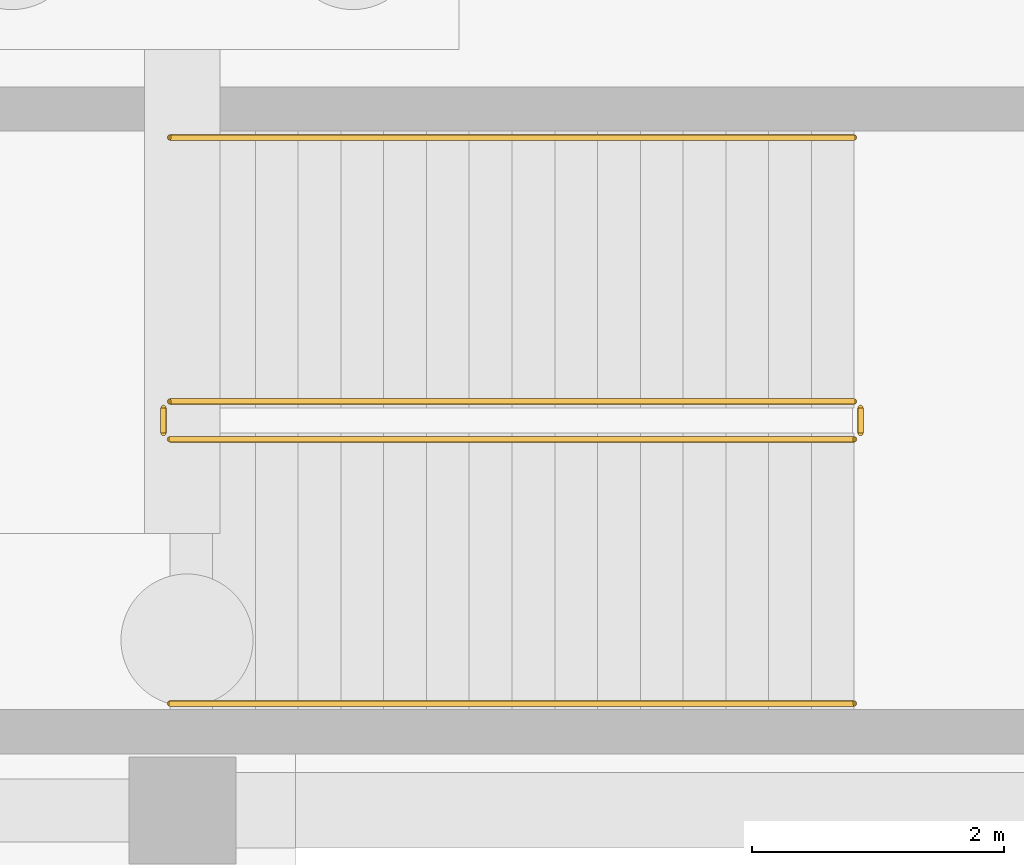
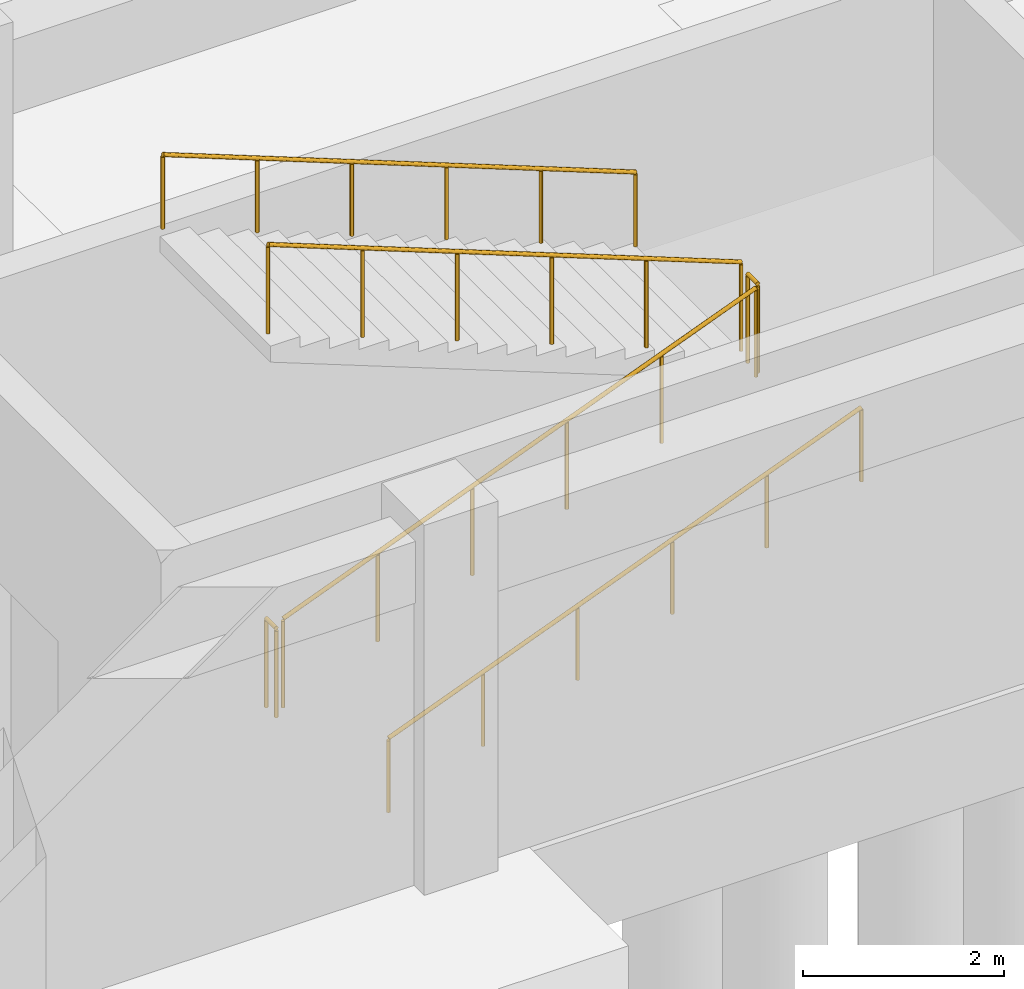
# One storey, part 30 of 33: 6 railings.
"""IFC4 building model written with IfcOpenShell, lengths in metres."""

from ifc_helpers import new_model, si_unit, direction, frame, origin, origin_2d, place, context, subcontext, project, spatial, circle, extrude, material, type_object, element, save


model = new_model("IFC4")

# Units and contexts
model_context = context("Model", 3, precision=1e-05, world=origin(), true_north=direction((0.0, 1.0)))
body_context = subcontext(model_context, "Body", "Model", "MODEL_VIEW")
ifc_project = project(units=[si_unit("LENGTHUNIT", "METRE"), si_unit("AREAUNIT", "SQUARE_METRE"), si_unit("VOLUMEUNIT", "CUBIC_METRE"), si_unit("PLANEANGLEUNIT", "RADIAN"), si_unit("MASSUNIT", "GRAM", prefix="KILO")], contexts=[model_context])

# Site, building, storey
site_placement = place(None, origin())
site = spatial("IfcSite", under=ifc_project, at=site_placement, CompositionType="ELEMENT")
building_placement = place(site_placement, origin())
building = spatial("IfcBuilding", under=site, at=building_placement, Name="Veldera Park Congress Hotel", CompositionType="ELEMENT")
storey_placement = place(building_placement, frame((0.0, 0.0, -4.5)))
storey = spatial("IfcBuildingStorey", under=building, at=storey_placement, Name="B1", CompositionType="ELEMENT", Elevation=-4.5)

# Railings
ifc_material = material(Name="Steel ASTM A992 Gr.50", Category="steel")
railing_type_1 = type_object("IfcRailingType", Name="GRD-ST110", PredefinedType="GUARDRAIL", material=ifc_material)
railing_1_placement = place(storey_placement, frame((30.699951171875, 20.35009765625, 0.13232421875)))
element("IfcRailing", 1, at=railing_1_placement, inside=storey, type_object=railing_type_1, Name="B1 ST7 stair guard 1", PredefinedType="GUARDRAIL", context=body_context, shape_type="SweptSolid", body=[
    extrude(circle(Radius=0.02392578125, at=origin_2d()), frame((0.0, 0.0, 1.076171875), z_axis=(0.93188060822, 0.0, 0.362765119635), x_axis=(0.0, 1.0, 0.0)), (0.0, 0.0, 1.0), 5.837646484375),
    extrude(circle(Radius=0.02099609375, at=origin_2d()), origin(), (0.0, 0.0, 1.0), 1.052001953125),
    extrude(circle(Radius=0.02099609375, at=origin_2d()), frame((1.087890625, 0.0, 0.423583984375)), (0.0, 0.0, 1.0), 1.052001953125),
    extrude(circle(Radius=0.02099609375, at=origin_2d()), frame((2.176025390625, 0.0, 0.84716796875)), (0.0, 0.0, 1.0), 1.052001953125),
    extrude(circle(Radius=0.02099609375, at=origin_2d()), frame((3.263916015625, 0.0, 1.2705078125)), (0.0, 0.0, 1.0), 1.052001953125),
    extrude(circle(Radius=0.02099609375, at=origin_2d()), frame((4.35205078125, 0.0, 1.694091796875)), (0.0, 0.0, 1.0), 1.052001953125),
    extrude(circle(Radius=0.02099609375, at=origin_2d()), frame((5.43994140625, 0.0, 2.11767578125)), (0.0, 0.0, 1.0), 1.052001953125),
])
railing_2_placement = place(storey_placement, frame((36.18994140625, 20.39990234375, 2.25)))
element("IfcRailing", 2, at=railing_2_placement, inside=storey, type_object=railing_type_1, Name="B1 ST7 stair guard 2", PredefinedType="GUARDRAIL", context=body_context, shape_type="SweptSolid", body=[
    extrude(circle(Radius=0.02392578125, at=origin_2d()), frame((0.0, 0.0, 1.076171875), z_axis=(0.0, 1.0, 0.0), x_axis=(-1.0, 0.0, 0.0)), (0.0, 0.0, 1.0), 0.2001953125),
    extrude(circle(Radius=0.02099609375, at=origin_2d()), origin(), (0.0, 0.0, 1.0), 1.052001953125),
    extrude(circle(Radius=0.02099609375, at=origin_2d()), frame((0.0, 0.2001953125, 0.0)), (0.0, 0.0, 1.0), 1.052001953125),
])
railing_3_placement = place(storey_placement, frame((36.139892578125, 20.64990234375, 2.38232421875)))
element("IfcRailing", 3, at=railing_3_placement, inside=storey, type_object=railing_type_1, Name="B1 ST7 stair guard 3", PredefinedType="GUARDRAIL", context=body_context, shape_type="SweptSolid", body=[
    extrude(circle(Radius=0.02392578125, at=origin_2d()), frame((0.0, 0.0, 1.076171875), z_axis=(-0.93188060822, 0.0, 0.362765119635), x_axis=(0.0, -1.0, 0.0)), (0.0, 0.0, 1.0), 5.837646484375),
    extrude(circle(Radius=0.02099609375, at=origin_2d()), origin(), (0.0, 0.0, 1.0), 1.052001953125),
    extrude(circle(Radius=0.02099609375, at=origin_2d()), frame((-1.087890625, 0.0, 0.423583984375)), (0.0, 0.0, 1.0), 1.052001953125),
    extrude(circle(Radius=0.02099609375, at=origin_2d()), frame((-2.176025390625, 0.0, 0.84716796875)), (0.0, 0.0, 1.0), 1.052001953125),
    extrude(circle(Radius=0.02099609375, at=origin_2d()), frame((-3.263916015625, 0.0, 1.2705078125)), (0.0, 0.0, 1.0), 1.052001953125),
    extrude(circle(Radius=0.02099609375, at=origin_2d()), frame((-4.35205078125, 0.0, 1.694091796875)), (0.0, 0.0, 1.0), 1.052001953125),
    extrude(circle(Radius=0.02099609375, at=origin_2d()), frame((-5.43994140625, 0.0, 2.11767578125)), (0.0, 0.0, 1.0), 1.052001953125),
])
railing_4_placement = place(storey_placement, frame((30.64990234375, 20.39990234375, 0.0)))
element("IfcRailing", 4, at=railing_4_placement, inside=storey, type_object=railing_type_1, Name="B1 ST7 stair guard 4", PredefinedType="GUARDRAIL", context=body_context, shape_type="SweptSolid", body=[
    extrude(circle(Radius=0.02392578125, at=origin_2d()), frame((0.0, 0.0, 1.076171875), z_axis=(0.0, 1.0, 0.0), x_axis=(-1.0, 0.0, 0.0)), (0.0, 0.0, 1.0), 0.2001953125),
    extrude(circle(Radius=0.02099609375, at=origin_2d()), origin(), (0.0, 0.0, 1.0), 1.052001953125),
    extrude(circle(Radius=0.02099609375, at=origin_2d()), frame((0.0, 0.2001953125, 0.0)), (0.0, 0.0, 1.0), 1.052001953125),
])
railing_type_2 = type_object("IfcRailingType", Name="HRL-920", PredefinedType="HANDRAIL", material=ifc_material)
railing_5_placement = place(storey_placement, frame((30.699951171875, 18.25, 0.13232421875)))
element("IfcRailing", 5, at=railing_5_placement, inside=storey, type_object=railing_type_2, Name="B1 ST7 stair handrail 1", PredefinedType="HANDRAIL", context=body_context, shape_type="SweptSolid", body=[
    extrude(circle(Radius=0.02392578125, at=origin_2d()), frame((0.0, 0.0, 0.89599609375), z_axis=(0.93188060822, 0.0, 0.362765119635), x_axis=(0.0, 1.0, 0.0)), (0.0, 0.0, 1.0), 5.837646484375),
    extrude(circle(Radius=0.02099609375, at=origin_2d()), origin(), (0.0, 0.0, 1.0), 0.871826171875),
    extrude(circle(Radius=0.02099609375, at=origin_2d()), frame((1.087890625, 0.0, 0.423583984375)), (0.0, 0.0, 1.0), 0.871826171875),
    extrude(circle(Radius=0.02099609375, at=origin_2d()), frame((2.176025390625, 0.0, 0.84716796875)), (0.0, 0.0, 1.0), 0.871826171875),
    extrude(circle(Radius=0.02099609375, at=origin_2d()), frame((3.263916015625, 0.0, 1.2705078125)), (0.0, 0.0, 1.0), 0.871826171875),
    extrude(circle(Radius=0.02099609375, at=origin_2d()), frame((4.35205078125, 0.0, 1.694091796875)), (0.0, 0.0, 1.0), 0.871826171875),
    extrude(circle(Radius=0.02099609375, at=origin_2d()), frame((5.43994140625, 0.0, 2.11767578125)), (0.0, 0.0, 1.0), 0.871826171875),
])
railing_6_placement = place(storey_placement, frame((36.139892578125, 22.75, 2.38232421875)))
element("IfcRailing", 6, at=railing_6_placement, inside=storey, type_object=railing_type_2, Name="B1 ST7 stair handrail 2", PredefinedType="HANDRAIL", context=body_context, shape_type="SweptSolid", body=[
    extrude(circle(Radius=0.02392578125, at=origin_2d()), frame((0.0, 0.0, 0.89599609375), z_axis=(-0.93188060822, 0.0, 0.362765119635), x_axis=(0.0, -1.0, 0.0)), (0.0, 0.0, 1.0), 5.837646484375),
    extrude(circle(Radius=0.02099609375, at=origin_2d()), origin(), (0.0, 0.0, 1.0), 0.871826171875),
    extrude(circle(Radius=0.02099609375, at=origin_2d()), frame((-1.087890625, 0.0, 0.423583984375)), (0.0, 0.0, 1.0), 0.871826171875),
    extrude(circle(Radius=0.02099609375, at=origin_2d()), frame((-2.176025390625, 0.0, 0.84716796875)), (0.0, 0.0, 1.0), 0.871826171875),
    extrude(circle(Radius=0.02099609375, at=origin_2d()), frame((-3.263916015625, 0.0, 1.2705078125)), (0.0, 0.0, 1.0), 0.871826171875),
    extrude(circle(Radius=0.02099609375, at=origin_2d()), frame((-4.35205078125, 0.0, 1.694091796875)), (0.0, 0.0, 1.0), 0.871826171875),
    extrude(circle(Radius=0.02099609375, at=origin_2d()), frame((-5.43994140625, 0.0, 2.11767578125)), (0.0, 0.0, 1.0), 0.871826171875),
])

save(model, "model.ifc")
